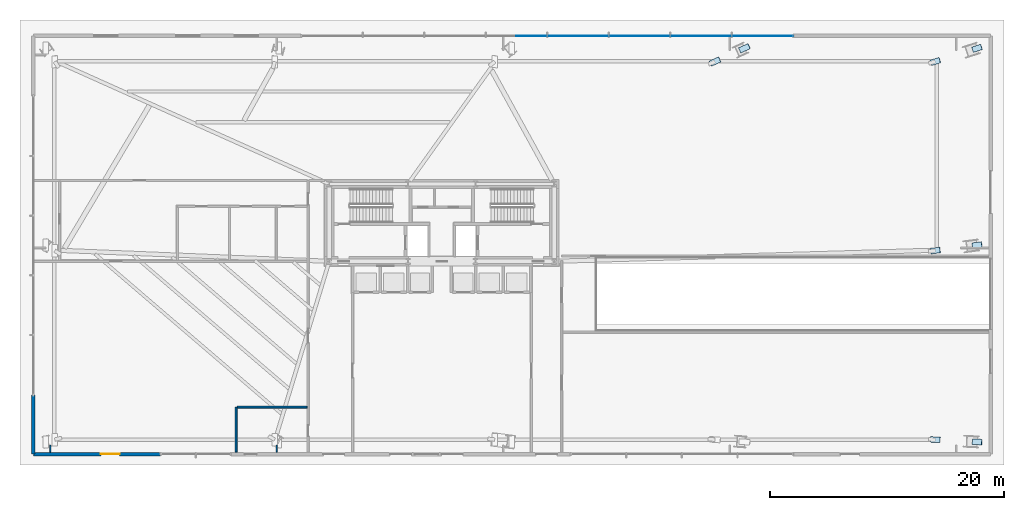
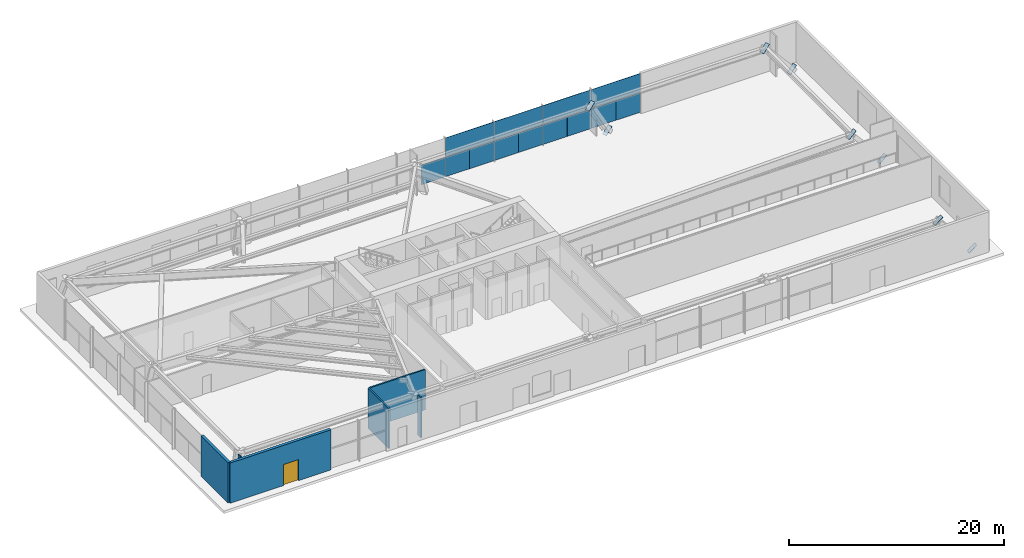
# One storey, part 23 of 31: 21 plates, 6 walls, 1 door, 1 opening, 1 element without a shape of its own.
"""IFC4 building model written with IfcOpenShell, lengths in metres."""

from ifc_helpers import new_model, si_unit, direction, frame, frame_2d, origin, origin_2d, place, context, subcontext, project, spatial, rectangle, extrude, source, transform, mapped, material, layer, layer_set, type_object, type_shapes, element, fill, aggregate, save


model = new_model("IFC4")

# Units and contexts
model_context = context("Model", 3, precision=1e-05, world=origin(), true_north=direction((0.0, 1.0)))
body_context = subcontext(model_context, "Body", "Model", "MODEL_VIEW")
ifc_project = project(units=[si_unit("LENGTHUNIT", "METRE"), si_unit("AREAUNIT", "SQUARE_METRE"), si_unit("VOLUMEUNIT", "CUBIC_METRE"), si_unit("PLANEANGLEUNIT", "RADIAN"), si_unit("MASSUNIT", "GRAM", prefix="KILO")], contexts=[model_context])

# Site, building, storey
site_placement = place(None, origin())
site = spatial("IfcSite", under=ifc_project, at=site_placement, CompositionType="ELEMENT")
building_placement = place(site_placement, origin())
building = spatial("IfcBuilding", under=site, at=building_placement, Name="Astriad Promenade Condominiums", CompositionType="ELEMENT")
storey_placement = place(building_placement, origin())
storey = spatial("IfcBuildingStorey", under=building, at=storey_placement, Name="L00", CompositionType="ELEMENT", Elevation=0.0)

# Plates
ifc_material_1 = material(Name="Steel ASTM A572 Grade 50", Category="steel")
ifc_layer_1 = layer(ifc_material_1, 0.02490234375)
ifc_layer_set_1 = layer_set([ifc_layer_1], Name="Steel ASTM A572 Grade 50")
plate_type_1 = type_object("IfcPlateType", Name="STEEL HOLLOW SECTION END CAP PLATE 30", PredefinedType="USERDEFINED", material=ifc_layer_set_1)
shared_shape_1 = source(origin(), body_context, "Body", "SweptSolid", [
    extrude(rectangle(XDim=0.477294921875, YDim=1.05126953125, at=origin_2d()), origin(), (0.0, 0.0, 1.0), 0.02490234375),
])
type_shapes(plate_type_1, [shared_shape_1])
for number, where, z_axis, x_axis, name in (
    (1, (81.710205078125, 1.985595703125, 0.132568359375), (-0.638179769681, 0.033597874983, 0.769153927616), (-0.052573604579, -0.998617051778, 0.0), "Hollow Section End Cap Plate COL-PC05-L00-A"),
    (2, (78.14599609375, 2.17333984375, 4.42822265625), (-0.638179769681, 0.033597874983, 0.769153927616), (-0.052573604579, -0.998617051778, 0.0), "Hollow Section End Cap Plate COL-PC05-L00-B"),
    (3, (61.847412109375, 35.591552734375, 0.108154296875), (-0.488399399947, -0.221150935976, 0.844131677908), (0.412490439926, -0.910961929484, 0.0), "Hollow Section End Cap Plate COL-PC09-L00-A"),
    (4, (59.334716796875, 34.453857421875, 4.450927734375), (-0.488399399947, -0.221150935976, 0.844131677908), (0.412490439926, -0.910961929484, 0.0), "Hollow Section End Cap Plate COL-PC09-L00-B"),
    (5, (81.70654296875, 35.584228515625, 0.136962890625), (-0.625933447856, -0.197652031955, 0.754414337827), (0.301115904845, -0.953587548078, 0.0), "Hollow Section End Cap Plate COL-PC10-L00-A"),
    (6, (78.149169921875, 34.460693359375, 4.424560546875), (-0.625933447856, -0.197652031955, 0.754414337827), (0.301115904845, -0.953587548078, 0.0), "Hollow Section End Cap Plate COL-PC10-L00-B"),
    (7, (81.70947265625, 18.785400390625, 0.13330078125), (-0.636297310131, -0.083734659017, 0.766886067157), (0.13047186411, -0.991452012291, 0.0), "Hollow Section End Cap Plate COL-PC12-L00-A"),
    (8, (78.146240234375, 18.316650390625, 4.427734375), (-0.636297310131, -0.083734659017, 0.766886067157), (0.13047186411, -0.991452012291, 0.0), "Hollow Section End Cap Plate COL-PC12-L00-B"),
):
    element("IfcPlate", number, at=place(storey_placement, frame(where, z_axis=z_axis, x_axis=x_axis)), inside=storey, type_object=plate_type_1, Name=name, ObjectType="STIFFENER_PLATE", PredefinedType="USERDEFINED", context=body_context, shape_type="MappedRepresentation", body=[
        mapped(shared_shape_1, transform((0.0, 0.0, 0.0), scale=1.0)),
    ])

# Curtain wall, plates
ifc_material_2 = material(Name="Anodised aluminium Black Dark Glass Unitised", Category="aluminium")
curtain_wall_type = type_object("IfcCurtainWallType", Name="CW-POD-DARK", PredefinedType="USERDEFINED", material=ifc_material_2)
curtain_wall_placement = place(storey_placement, origin())
curtain_wall = element("IfcCurtainWall", 9, at=curtain_wall_placement, inside=storey, type_object=curtain_wall_type, Name="CW-L00-N", ObjectType="UNITISED_CURTAIN_WALL", PredefinedType="USERDEFINED")
ifc_material_3 = material(Name="Dark Tinted Low-E Laminated Glass", Category="glass")
ifc_layer_2 = layer(ifc_material_3, 0.035888671875)
ifc_layer_set_2 = layer_set([ifc_layer_2], Name="Dark Tinted Low-E Laminated Glass")
plate_type_2 = type_object("IfcPlateType", Name="PNL-DARK-GLASS-36", PredefinedType="CURTAIN_PANEL", material=ifc_layer_set_2)
shared_shape_2 = source(origin(), body_context, "Body", "SweptSolid", [
    extrude(rectangle(XDim=2.613037109375, YDim=0.035888671875, at=origin_2d()), origin(), (0.0, 0.0, 1.0), 2.22998046875),
])
plate_1_placement = place(storey_placement, frame((43.6875, 36.64990234375, 0.080078125), z_axis=(0.0, 0.0, 1.0), x_axis=(1.0, 0.0, 0.0)))
plate_1 = element("IfcPlate", 10, at=plate_1_placement, type_object=plate_type_2, Name="CW-L00-N-PNL-03-VR", PredefinedType="CURTAIN_PANEL", context=body_context, shape_type="MappedRepresentation", body=[
    mapped(shared_shape_2, transform((0.0, 0.0, 0.0), scale=1.0)),
])
plate_2_placement = place(storey_placement, frame((46.3125, 36.64990234375, 0.080078125), z_axis=(0.0, 0.0, 1.0), x_axis=(1.0, 0.0, 0.0)))
plate_2 = element("IfcPlate", 11, at=plate_2_placement, type_object=plate_type_2, Name="CW-L00-N-PNL-04-VL", PredefinedType="CURTAIN_PANEL", context=body_context, shape_type="MappedRepresentation", body=[
    mapped(shared_shape_2, transform((0.0, 0.0, 0.0), scale=1.0)),
])
plate_3_placement = place(storey_placement, frame((48.9375, 36.64990234375, 0.080078125), z_axis=(0.0, 0.0, 1.0), x_axis=(1.0, 0.0, 0.0)))
plate_3 = element("IfcPlate", 12, at=plate_3_placement, type_object=plate_type_2, Name="CW-L00-N-PNL-04-VR", PredefinedType="CURTAIN_PANEL", context=body_context, shape_type="MappedRepresentation", body=[
    mapped(shared_shape_2, transform((0.0, 0.0, 0.0), scale=1.0)),
])
plate_4_placement = place(storey_placement, frame((51.5625, 36.64990234375, 0.080078125), z_axis=(0.0, 0.0, 1.0), x_axis=(1.0, 0.0, 0.0)))
plate_4 = element("IfcPlate", 13, at=plate_4_placement, type_object=plate_type_2, Name="CW-L00-N-PNL-05-VL", PredefinedType="CURTAIN_PANEL", context=body_context, shape_type="MappedRepresentation", body=[
    mapped(shared_shape_2, transform((0.0, 0.0, 0.0), scale=1.0)),
])
plate_5_placement = place(storey_placement, frame((54.1875, 36.64990234375, 0.080078125), z_axis=(0.0, 0.0, 1.0), x_axis=(1.0, 0.0, 0.0)))
plate_5 = element("IfcPlate", 14, at=plate_5_placement, type_object=plate_type_2, Name="CW-L00-N-PNL-05-VR", PredefinedType="CURTAIN_PANEL", context=body_context, shape_type="MappedRepresentation", body=[
    mapped(shared_shape_2, transform((0.0, 0.0, 0.0), scale=1.0)),
])
plate_6_placement = place(storey_placement, frame((56.8125, 36.64990234375, 0.080078125), z_axis=(0.0, 0.0, 1.0), x_axis=(1.0, 0.0, 0.0)))
plate_6 = element("IfcPlate", 15, at=plate_6_placement, type_object=plate_type_2, Name="CW-L00-N-PNL-06-VL", PredefinedType="CURTAIN_PANEL", context=body_context, shape_type="MappedRepresentation", body=[
    mapped(shared_shape_2, transform((0.0, 0.0, 0.0), scale=1.0)),
])
plate_7_placement = place(storey_placement, frame((59.4375, 36.64990234375, 0.080078125), z_axis=(0.0, 0.0, 1.0), x_axis=(1.0, 0.0, 0.0)))
plate_7 = element("IfcPlate", 16, at=plate_7_placement, type_object=plate_type_2, Name="CW-L00-N-PNL-06-VR", PredefinedType="CURTAIN_PANEL", context=body_context, shape_type="MappedRepresentation", body=[
    mapped(shared_shape_2, transform((0.0, 0.0, 0.0), scale=1.0)),
])
plate_8_placement = place(storey_placement, frame((62.0625, 36.64990234375, 0.080078125), z_axis=(0.0, 0.0, 1.0), x_axis=(1.0, 0.0, 0.0)))
plate_8 = element("IfcPlate", 17, at=plate_8_placement, type_object=plate_type_2, Name="CW-L00-N-PNL-07-VL", PredefinedType="CURTAIN_PANEL", context=body_context, shape_type="MappedRepresentation", body=[
    mapped(shared_shape_2, transform((0.0, 0.0, 0.0), scale=1.0)),
])
plate_9_placement = place(storey_placement, frame((64.6875, 36.64990234375, 0.080078125), z_axis=(0.0, 0.0, 1.0), x_axis=(1.0, 0.0, 0.0)))
plate_9 = element("IfcPlate", 18, at=plate_9_placement, type_object=plate_type_2, Name="CW-L00-N-PNL-07-VR", PredefinedType="CURTAIN_PANEL", context=body_context, shape_type="MappedRepresentation", body=[
    mapped(shared_shape_2, transform((0.0, 0.0, 0.0), scale=1.0)),
])
shared_shape_3 = source(origin(), body_context, "Body", "SweptSolid", [
    extrude(rectangle(XDim=5.238037109375, YDim=0.035888671875, at=origin_2d()), origin(), (0.0, 0.0, 1.0), 2.110107421875),
])
type_shapes(plate_type_2, [shared_shape_2, shared_shape_3])
plate_10_placement = place(storey_placement, frame((47.625, 36.64990234375, 2.39013671875), z_axis=(0.0, 0.0, 1.0), x_axis=(1.0, 0.0, 0.0)))
plate_10 = element("IfcPlate", 19, at=plate_10_placement, type_object=plate_type_2, Name="CW-L00-N-PNL-04-S", PredefinedType="CURTAIN_PANEL", context=body_context, shape_type="MappedRepresentation", body=[
    mapped(shared_shape_3, transform((0.0, 0.0, 0.0), scale=1.0)),
])
plate_11_placement = place(storey_placement, frame((52.875, 36.64990234375, 2.39013671875), z_axis=(0.0, 0.0, 1.0), x_axis=(1.0, 0.0, 0.0)))
plate_11 = element("IfcPlate", 20, at=plate_11_placement, type_object=plate_type_2, Name="CW-L00-N-PNL-05-S", PredefinedType="CURTAIN_PANEL", context=body_context, shape_type="MappedRepresentation", body=[
    mapped(shared_shape_3, transform((0.0, 0.0, 0.0), scale=1.0)),
])
plate_12_placement = place(storey_placement, frame((58.125, 36.64990234375, 2.39013671875), z_axis=(0.0, 0.0, 1.0), x_axis=(1.0, 0.0, 0.0)))
plate_12 = element("IfcPlate", 21, at=plate_12_placement, type_object=plate_type_2, Name="CW-L00-N-PNL-06-S", PredefinedType="CURTAIN_PANEL", context=body_context, shape_type="MappedRepresentation", body=[
    mapped(shared_shape_3, transform((0.0, 0.0, 0.0), scale=1.0)),
])
plate_13_placement = place(storey_placement, frame((63.375, 36.64990234375, 2.39013671875), z_axis=(0.0, 0.0, 1.0), x_axis=(1.0, 0.0, 0.0)))
plate_13 = element("IfcPlate", 22, at=plate_13_placement, type_object=plate_type_2, Name="CW-L00-N-PNL-07-S", PredefinedType="CURTAIN_PANEL", context=body_context, shape_type="MappedRepresentation", body=[
    mapped(shared_shape_3, transform((0.0, 0.0, 0.0), scale=1.0)),
])
aggregate(curtain_wall, [plate_1, plate_2, plate_3, plate_10, plate_4, plate_5, plate_11, plate_6, plate_7, plate_12, plate_8, plate_9, plate_13])

# Walls
ifc_material_4 = material(Name="Fire-Rated Gypsum Partition")
ifc_layer_3 = layer(ifc_material_4, 0.159912109375)
ifc_layer_set_3 = layer_set([ifc_layer_3], Name="Fire-Rated Gypsum Partition")
wall_type_1 = type_object("IfcWallType", Name="WALL-CORR-160", PredefinedType="PARTITIONING", material=ifc_layer_set_3)
wall_1_placement = place(storey_placement, frame((18.449951171875, 1.10205078125, 0.0), z_axis=(0.0, 0.0, 1.0), x_axis=(0.0, 1.0, 0.0)))
element("IfcWall", 23, at=wall_1_placement, inside=storey, type_object=wall_type_1, Name="PT-L00-FCC-W", PredefinedType="PARTITIONING", context=body_context, shape_type="SweptSolid", body=[
    extrude(rectangle(XDim=3.847900390625, YDim=0.159912109375, at=frame_2d((1.923828125, 0.0))), origin(), (0.0, 0.0, 1.0), 4.580078125),
])
wall_2_placement = place(storey_placement, frame((18.531982421875, 4.949951171875, 0.0), z_axis=(0.0, 0.0, 1.0), x_axis=(1.0, 0.0, 0.0)))
element("IfcWall", 24, at=wall_2_placement, inside=storey, type_object=wall_type_1, Name="PT-L00-FCC-N", PredefinedType="PARTITIONING", context=body_context, shape_type="SweptSolid", body=[
    extrude(rectangle(XDim=5.986083984375, YDim=0.159912109375, at=frame_2d((2.9931640625, 0.0))), origin(), (0.0, 0.0, 1.0), 4.580078125),
])
ifc_material_5 = material(Name="Precast concrete C50/60", Category="concrete")
ifc_layer_4 = layer(ifc_material_5, 0.300048828125)
ifc_layer_set_4 = layer_set([ifc_layer_4], Name="Precast concrete C50/60")
wall_type_2 = type_object("IfcWallType", Name="WALL-EXT-POD-300", PredefinedType="STANDARD", material=ifc_layer_set_4)
wall_3_placement = place(storey_placement, frame((1.14990234375, 0.949951171875, 0.0), z_axis=(0.0, 0.0, 1.0), x_axis=(0.0, 1.0, 0.0)))
element("IfcWall", 25, at=wall_3_placement, inside=storey, type_object=wall_type_2, Name="W-EXT-L00-W1", PredefinedType="STANDARD", context=body_context, shape_type="SweptSolid", body=[
    extrude(rectangle(XDim=5.050048828125, YDim=0.300048828125, at=frame_2d((2.52490234375, 0.0))), origin(), (0.0, 0.0, 1.0), 4.580078125),
])

# Wall, opening, door
wall_4_placement = place(storey_placement, frame((12.0, 0.949951171875, 0.0), z_axis=(0.0, 0.0, 1.0), x_axis=(-1.0, 0.0, 0.0)))
wall_4 = element("IfcWall", 26, at=wall_4_placement, inside=storey, type_object=wall_type_2, Name="W-EXT-L00-S5", PredefinedType="STANDARD", context=body_context, shape_type="SweptSolid", body=[
    extrude(rectangle(XDim=10.85009765625, YDim=0.300048828125, at=frame_2d((5.425048828125, 0.0))), origin(), (0.0, 0.0, 1.0), 4.580078125),
])
opening_placement = place(wall_4_placement, frame((3.5, 0.0, 0.0)))
opening = element("IfcOpeningElement", 27, at=opening_placement, cuts=wall_4, Name="Opening ED-1624-RET", PredefinedType="OPENING", context=body_context, shape_type="SweptSolid", body=[
    extrude(rectangle(XDim=1.60009765625, YDim=2.39990234375, at=frame_2d((0.800048828125, 1.199951171875))), frame((0.0, 0.159912109375, 0.0), z_axis=(0.0, -1.0, 0.0), x_axis=(1.0, 0.0, 0.0)), (0.0, 0.0, 1.0), 0.320068359375),
])
ifc_material_6 = material(Name="Anodised Aluminium Storefront Door", Category="aluminium")
door_type = type_object("IfcDoorType", Name="ED-1624-RET", OperationType="NOTDEFINED", PredefinedType="DOOR", material=ifc_material_6)
shared_shape_4 = source(origin(), body_context, "Body", "SweptSolid", [
    extrude(rectangle(XDim=1.60009765625, YDim=2.39990234375, at=frame_2d((0.800048828125, 1.199951171875))), frame((0.0, 0.02490234375, 0.0), z_axis=(0.0, -1.0, 0.0), x_axis=(1.0, 0.0, 0.0)), (0.0, 0.0, 1.0), 0.050048828125),
])
type_shapes(door_type, [shared_shape_4])
door_placement = place(opening_placement, origin())
door = element("IfcDoor", 28, at=door_placement, inside=storey, type_object=door_type, Name="D-RETW-EXT", OperationType="DOUBLE_DOOR_SINGLE_SWING", OverallHeight=2.39990234375, OverallWidth=1.60009765625, PredefinedType="DOOR", context=body_context, shape_type="MappedRepresentation", body=[
    mapped(shared_shape_4, transform((0.0, 0.0, 0.0), scale=1.0)),
])
fill(opening, door)

# Walls
ifc_material_7 = material(Name="Acoustic Metal-Stud Gypsum Partition")
ifc_layer_5 = layer(ifc_material_7, 0.1201171875)
ifc_layer_set_5 = layer_set([ifc_layer_5], Name="Acoustic Metal-Stud Gypsum Partition")
wall_type_3 = type_object("IfcWallType", Name="WALL-PART-120", PredefinedType="PARTITIONING", material=ifc_layer_set_5)
for number, where, z_axis, x_axis, name in (
    (29, (2.580078125, 1.699951171875, 0.0), (0.0, 0.0, 1.0), (0.0, -1.0, 0.0), "PT-PIL-L00-PC01-8"),
    (30, (21.9150390625, 1.699951171875, 0.0), (0.0, 0.0, 1.0), (0.0, -1.0, 0.0), "PT-PIL-L00-PC02-9"),
):
    element("IfcWall", number, at=place(storey_placement, frame(where, z_axis=z_axis, x_axis=x_axis)), inside=storey, type_object=wall_type_3, Name=name, PredefinedType="PARTITIONING", context=body_context, shape_type="SweptSolid", body=[
        extrude(rectangle(XDim=0.597900390625, YDim=0.1201171875, at=frame_2d((0.298828125, 0.0))), origin(), (0.0, 0.0, 1.0), 4.580078125),
    ])

save(model, "model.ifc")
